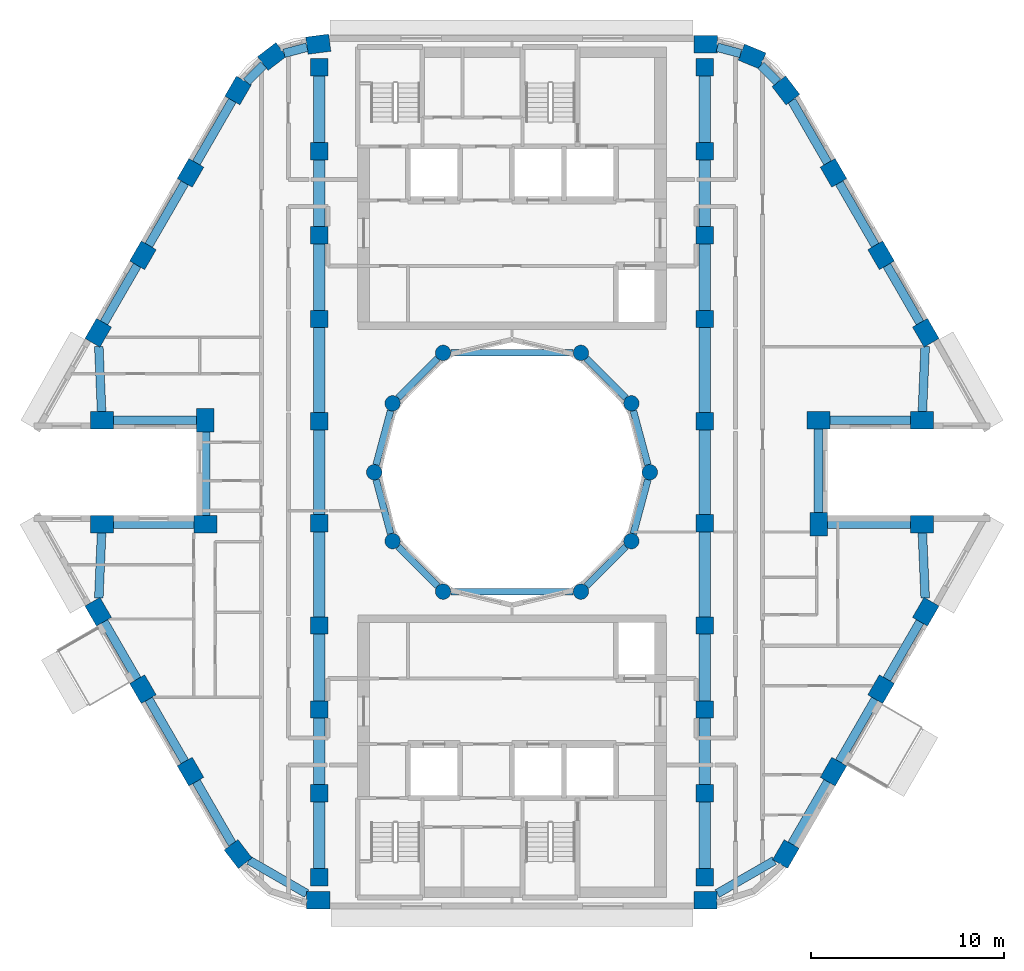
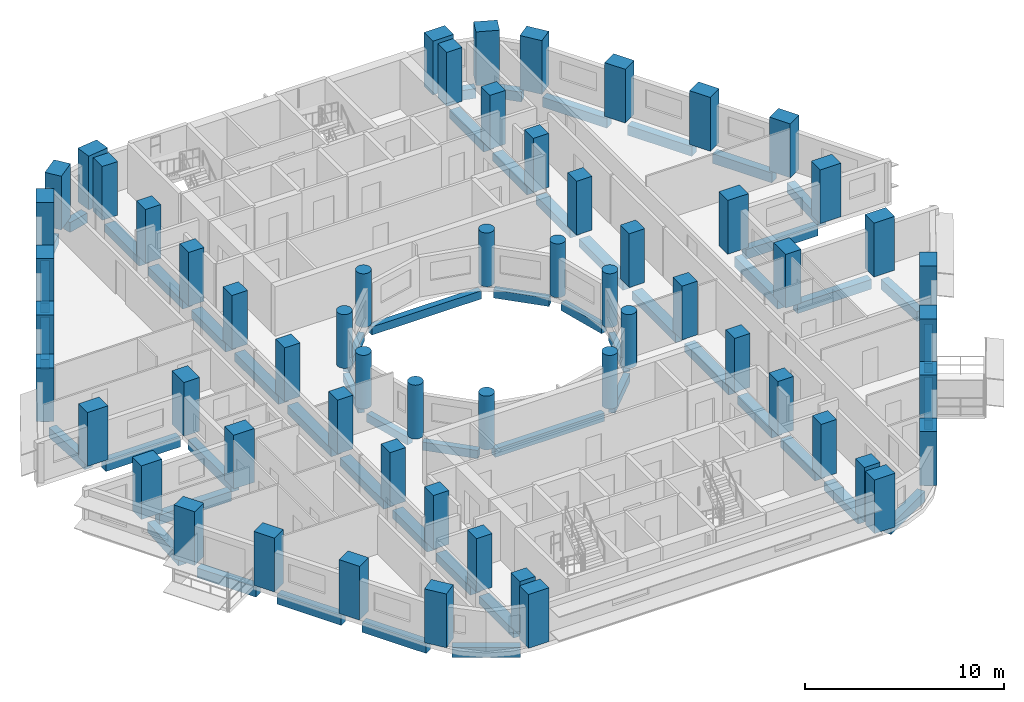
# One storey, part 1 of 15: 60 columns, 56 beams.
"""IFC4 building model written with IfcOpenShell, lengths in metres."""

from ifc_helpers import new_model, si_unit, direction, frame, origin, origin_2d, place, context, subcontext, project, spatial, rectangle, circle, extrude, material, material_profile, profile_set, type_object, element, save


model = new_model("IFC4")

# Units and contexts
model_context = context("Model", 3, precision=1e-05, world=origin(), true_north=direction((0.0, 1.0)))
body_context = subcontext(model_context, "Body", "Model", "MODEL_VIEW")
ifc_project = project(units=[si_unit("LENGTHUNIT", "METRE"), si_unit("AREAUNIT", "SQUARE_METRE"), si_unit("VOLUMEUNIT", "CUBIC_METRE"), si_unit("PLANEANGLEUNIT", "RADIAN"), si_unit("MASSUNIT", "GRAM", prefix="KILO")], contexts=[model_context])

# Site, building, storey
site_placement = place(None, origin())
site = spatial("IfcSite", under=ifc_project, at=site_placement, CompositionType="ELEMENT")
building_placement = place(site_placement, origin())
building = spatial("IfcBuilding", under=site, at=building_placement, Name="Nakaniwa Court", CompositionType="ELEMENT")
storey_placement = place(building_placement, frame((0.0, 0.0, 213.0)))
storey = spatial("IfcBuildingStorey", under=building, at=storey_placement, Name="L56", CompositionType="ELEMENT", Elevation=213.0)

# Columns
ifc_material = material(Name="Concrete C80/100", Category="concrete")
ifc_material_profile_1 = material_profile(ifc_material, rectangle(XDim=1.199951171875, YDim=0.89990234375, at=origin_2d()), Name="Concrete C80/100 RC 1200x900 perimeter column")
ifc_profile_set_1 = profile_set([ifc_material_profile_1], Name="Concrete C80/100")
column_type_1 = type_object("IfcColumnType", Name="Concrete C80/100 RC 1200x900 perimeter column", PredefinedType="COLUMN", material=ifc_profile_set_1)
for number, where, z_axis, x_axis, name in (
    (1, (69.95458984375, 102.199951171875, 0.0), (0.0, 0.0, 1.0), (-0.991442583111, -0.130543496177, 0.0), "COLUMN CO-01"),
    (2, (67.552001953125, 101.560302734375, 0.0), (0.0, 0.0, 1.0), (-0.793363965062, -0.608747582288, 0.0), "COLUMN CO-02"),
    (3, (65.796875, 99.799560546875, 0.0), (0.0, 0.0, 1.0), (-0.5, -0.866025403784, 0.0), "COLUMN CO-03"),
    (4, (63.328857421875, 95.524658203125, 0.0), (0.0, 0.0, 1.0), (-0.5, -0.866025403784, 0.0), "COLUMN CO-04"),
    (5, (60.860595703125, 91.249755859375, 0.0), (0.0, 0.0, 1.0), (-0.5, -0.866025403784, 0.0), "COLUMN CO-05"),
    (6, (58.541015625, 87.232177734375, 0.0), (0.0, 0.0, 1.0), (-0.5, -0.866025403784, 0.0), "COLUMN CO-06"),
    (7, (58.736083984375, 82.699951171875, 0.0), (0.0, 0.0, 1.0), (1.0, 0.0, 0.0), "COLUMN CO-08"),
    (8, (64.1005859375, 82.699951171875, 0.0), (0.0, 0.0, 1.0), (0.0, -1.0, 0.0), "COLUMN CO-09"),
    (9, (64.1005859375, 77.300048828125, 0.0), (0.0, 0.0, 1.0), (-1.0, 0.0, 0.0), "COLUMN CO-10"),
    (10, (58.736083984375, 77.300048828125, 0.0), (0.0, 0.0, 1.0), (-1.0, 0.0, 0.0), "COLUMN CO-11"),
    (11, (58.541015625, 72.767822265625, 0.0), (0.0, 0.0, 1.0), (0.5, -0.866025403784, 0.0), "COLUMN CO-13"),
    (12, (60.860595703125, 68.750244140625, 0.0), (0.0, 0.0, 1.0), (0.5, -0.866025403784, 0.0), "COLUMN CO-14"),
    (13, (63.328857421875, 64.475341796875, 0.0), (0.0, 0.0, 1.0), (0.5, -0.866025403784, 0.0), "COLUMN CO-15"),
    (14, (65.796875, 60.200439453125, 0.0), (0.0, 0.0, 1.0), (0.608761429009, -0.793353340291, 0.0), "COLUMN CO-16"),
    (15, (69.95458984375, 57.800048828125, 0.0), (0.0, 0.0, 1.0), (1.0, 0.0, 0.0), "COLUMN CO-17"),
    (16, (90.03955078125, 57.800048828125, 0.0), (0.0, 0.0, 1.0), (1.0, 0.0, 0.0), "COLUMN CO-21"),
    (17, (94.203125, 60.200439453125, 0.0), (0.0, 0.0, 1.0), (0.5, 0.866025403784, 0.0), "COLUMN CO-22"),
    (18, (96.671142578125, 64.475341796875, 0.0), (0.0, 0.0, 1.0), (0.5, 0.866025403784, 0.0), "COLUMN CO-23"),
    (19, (99.139404296875, 68.750244140625, 0.0), (0.0, 0.0, 1.0), (0.5, 0.866025403784, 0.0), "COLUMN CO-24"),
    (20, (101.458984375, 72.767822265625, 0.0), (0.0, 0.0, 1.0), (0.5, 0.866025403784, 0.0), "COLUMN CO-25"),
    (21, (101.263916015625, 77.300048828125, 0.0), (0.0, 0.0, 1.0), (-1.0, 0.0, 0.0), "COLUMN CO-27"),
    (22, (95.8994140625, 77.300048828125, 0.0), (0.0, 0.0, 1.0), (0.0, 1.0, 0.0), "COLUMN CO-28"),
    (23, (95.8994140625, 82.699951171875, 0.0), (0.0, 0.0, 1.0), (1.0, 0.0, 0.0), "COLUMN CO-29"),
    (24, (101.263916015625, 82.699951171875, 0.0), (0.0, 0.0, 1.0), (1.0, 0.0, 0.0), "COLUMN CO-30"),
    (25, (101.458984375, 87.232177734375, 0.0), (0.0, 0.0, 1.0), (-0.5, 0.866025403784, 0.0), "COLUMN CO-32"),
    (26, (99.139404296875, 91.249755859375, 0.0), (0.0, 0.0, 1.0), (-0.5, 0.866025403784, 0.0), "COLUMN CO-33"),
    (27, (96.671142578125, 95.524658203125, 0.0), (0.0, 0.0, 1.0), (-0.5, 0.866025403784, 0.0), "COLUMN CO-34"),
    (28, (94.203125, 99.799560546875, 0.0), (0.0, 0.0, 1.0), (-0.608761429009, 0.793353340291, 0.0), "COLUMN CO-35"),
    (29, (92.447998046875, 101.560302734375, 0.0), (0.0, 0.0, 1.0), (-0.923879532511, 0.382683432365, 0.0), "COLUMN CO-36"),
    (30, (90.04541015625, 102.199951171875, 0.0), (0.0, 0.0, 1.0), (-1.0, 0.0, 0.0), "COLUMN CO-37"),
):
    element("IfcColumn", number, at=place(storey_placement, frame(where, z_axis=z_axis, x_axis=x_axis)), inside=storey, type_object=column_type_1, Name=name, PredefinedType="COLUMN", context=body_context, shape_type="SweptSolid", body=[
        extrude(rectangle(XDim=1.199951171875, YDim=0.89990234375, at=origin_2d()), origin(), (0.0, 0.0, 1.0), 3.300048828125),
    ])
ifc_material_profile_2 = material_profile(ifc_material, rectangle(XDim=0.89990234375, YDim=0.89990234375, at=origin_2d()), Name="Concrete C80/100 RC 900x900 spine column")
ifc_profile_set_2 = profile_set([ifc_material_profile_2], Name="Concrete C80/100")
column_type_2 = type_object("IfcColumnType", Name="Concrete C80/100 RC 900x900 spine column", PredefinedType="COLUMN", material=ifc_profile_set_2)
for number, where, z_axis, x_axis, name in (
    (31, (90.0, 59.0, 0.0), (0.0, 0.0, 1.0), (0.0, 1.0, 0.0), "COLUMN CS-01"),
    (32, (90.0, 63.35009765625, 0.0), (0.0, 0.0, 1.0), (0.0, 1.0, 0.0), "COLUMN CS-02"),
    (33, (90.0, 67.699951171875, 0.0), (0.0, 0.0, 1.0), (0.0, 1.0, 0.0), "COLUMN CS-03"),
    (34, (90.0, 72.050048828125, 0.0), (0.0, 0.0, 1.0), (0.0, 1.0, 0.0), "COLUMN CS-04"),
    (35, (90.0, 77.35009765625, 0.0), (0.0, 0.0, 1.0), (0.0, 1.0, 0.0), "COLUMN CS-05"),
    (36, (90.0, 82.64990234375, 0.0), (0.0, 0.0, 1.0), (0.0, 1.0, 0.0), "COLUMN CS-06"),
    (37, (90.0, 87.949951171875, 0.0), (0.0, 0.0, 1.0), (0.0, 1.0, 0.0), "COLUMN CS-07"),
    (38, (90.0, 92.300048828125, 0.0), (0.0, 0.0, 1.0), (0.0, 1.0, 0.0), "COLUMN CS-08"),
    (39, (90.0, 96.64990234375, 0.0), (0.0, 0.0, 1.0), (0.0, 1.0, 0.0), "COLUMN CS-09"),
    (40, (90.0, 101.0, 0.0), (0.0, 0.0, 1.0), (0.0, 1.0, 0.0), "COLUMN CS-10"),
    (41, (70.0, 101.0, 0.0), (0.0, 0.0, 1.0), (0.0, -1.0, 0.0), "COLUMN CS-11"),
    (42, (70.0, 96.64990234375, 0.0), (0.0, 0.0, 1.0), (0.0, -1.0, 0.0), "COLUMN CS-12"),
    (43, (70.0, 92.300048828125, 0.0), (0.0, 0.0, 1.0), (0.0, -1.0, 0.0), "COLUMN CS-13"),
    (44, (70.0, 87.949951171875, 0.0), (0.0, 0.0, 1.0), (0.0, -1.0, 0.0), "COLUMN CS-14"),
    (45, (70.0, 82.64990234375, 0.0), (0.0, 0.0, 1.0), (0.0, -1.0, 0.0), "COLUMN CS-15"),
    (46, (70.0, 77.35009765625, 0.0), (0.0, 0.0, 1.0), (0.0, -1.0, 0.0), "COLUMN CS-16"),
    (47, (70.0, 72.050048828125, 0.0), (0.0, 0.0, 1.0), (0.0, -1.0, 0.0), "COLUMN CS-17"),
    (48, (70.0, 67.699951171875, 0.0), (0.0, 0.0, 1.0), (0.0, -1.0, 0.0), "COLUMN CS-18"),
    (49, (70.0, 63.35009765625, 0.0), (0.0, 0.0, 1.0), (0.0, -1.0, 0.0), "COLUMN CS-19"),
    (50, (70.0, 59.0, 0.0), (0.0, 0.0, 1.0), (0.0, -1.0, 0.0), "COLUMN CS-20"),
):
    element("IfcColumn", number, at=place(storey_placement, frame(where, z_axis=z_axis, x_axis=x_axis)), inside=storey, type_object=column_type_2, Name=name, PredefinedType="COLUMN", context=body_context, shape_type="SweptSolid", body=[
        extrude(rectangle(XDim=0.89990234375, YDim=0.89990234375, at=origin_2d()), origin(), (0.0, 0.0, 1.0), 3.300048828125),
    ])
ifc_material_profile_3 = material_profile(ifc_material, circle(Radius=0.39990234375, at=origin_2d()), Name="Concrete C80/100 RC D800 inner ring column")
ifc_profile_set_3 = profile_set([ifc_material_profile_3], Name="Concrete C80/100")
column_type_3 = type_object("IfcColumnType", Name="Concrete C80/100 RC D800 inner ring column", PredefinedType="COLUMN", material=ifc_profile_set_3)
for number, where, z_axis, x_axis, name in (
    (51, (87.14990234375, 80.0, 0.0), (0.0, 0.0, 1.0), (0.0, 1.0, 0.0), "COLUMN CI-01"),
    (52, (86.192138671875, 83.574951171875, 0.0), (0.0, 0.0, 1.0), (-0.5, 0.866025403784, 0.0), "COLUMN CI-02"),
    (53, (83.574951171875, 86.192138671875, 0.0), (0.0, 0.0, 1.0), (-0.866025403784, 0.5, 0.0), "COLUMN CI-03"),
    (54, (76.425048828125, 86.192138671875, 0.0), (0.0, 0.0, 1.0), (-0.866025403784, -0.5, 0.0), "COLUMN CI-05"),
    (55, (73.807861328125, 83.574951171875, 0.0), (0.0, 0.0, 1.0), (-0.5, -0.866025403784, 0.0), "COLUMN CI-06"),
    (56, (72.85009765625, 80.0, 0.0), (0.0, 0.0, 1.0), (0.0, -1.0, 0.0), "COLUMN CI-07"),
    (57, (73.807861328125, 76.425048828125, 0.0), (0.0, 0.0, 1.0), (0.5, -0.866025403784, 0.0), "COLUMN CI-08"),
    (58, (76.425048828125, 73.807861328125, 0.0), (0.0, 0.0, 1.0), (0.866025403784, -0.5, 0.0), "COLUMN CI-09"),
    (59, (83.574951171875, 73.807861328125, 0.0), (0.0, 0.0, 1.0), (0.866025403784, 0.5, 0.0), "COLUMN CI-11"),
    (60, (86.192138671875, 76.425048828125, 0.0), (0.0, 0.0, 1.0), (0.5, 0.866025403784, 0.0), "COLUMN CI-12"),
):
    element("IfcColumn", number, at=place(storey_placement, frame(where, z_axis=z_axis, x_axis=x_axis)), inside=storey, type_object=column_type_3, Name=name, PredefinedType="COLUMN", context=body_context, shape_type="SweptSolid", body=[
        extrude(circle(Radius=0.39990234375, at=origin_2d()), origin(), (0.0, 0.0, 1.0), 3.300048828125),
    ])

# Beams
ifc_material_profile_4 = material_profile(ifc_material, rectangle(XDim=0.35009765625, YDim=0.5, at=origin_2d()), Name="Concrete C80/100 RC 350x500 ring beam")
ifc_profile_set_4 = profile_set([ifc_material_profile_4], Name="Concrete C80/100")
beam_type_1 = type_object("IfcBeamType", Name="Concrete C80/100 RC 350x500 ring beam", PredefinedType="BEAM", material=ifc_profile_set_4)
beam_1_placement = place(storey_placement, frame((87.04638671875, 80.386474609375, -0.52490234375), z_axis=(-0.258778150207, 0.965936783115, 0.0), x_axis=(-0.965936783115, -0.258778150207, 0.0)))
element("IfcBeam", 61, at=beam_1_placement, inside=storey, type_object=beam_type_1, Name="RING BEAM", PredefinedType="BEAM", context=body_context, shape_type="SweptSolid", body=[
    extrude(rectangle(XDim=0.35009765625, YDim=0.5, at=origin_2d()), origin(), (0.0, 0.0, 1.0), 2.901123046875),
])
beam_2_placement = place(storey_placement, frame((85.9091796875, 83.85791015625, -0.52490234375), z_axis=(-0.707106781187, 0.707106781187, 0.0), x_axis=(-0.707106781187, -0.707106781187, 0.0)))
element("IfcBeam", 62, at=beam_2_placement, inside=storey, type_object=beam_type_1, Name="RING BEAM", PredefinedType="BEAM", context=body_context, shape_type="SweptSolid", body=[
    extrude(rectangle(XDim=0.35009765625, YDim=0.5, at=origin_2d()), origin(), (0.0, 0.0, 1.0), 2.90087890625),
])
beam_3_placement = place(storey_placement, frame((83.175048828125, 86.192138671875, -0.52490234375), z_axis=(-1.0, 0.0, 0.0), x_axis=(0.0, -1.0, 0.0)))
element("IfcBeam", 63, at=beam_3_placement, inside=storey, type_object=beam_type_1, Name="RING BEAM", PredefinedType="BEAM", context=body_context, shape_type="SweptSolid", body=[
    extrude(rectangle(XDim=0.35009765625, YDim=0.5, at=origin_2d()), origin(), (0.0, 0.0, 1.0), 6.35009765625),
])
beam_4_placement = place(storey_placement, frame((76.14208984375, 85.9091796875, -0.52490234375), z_axis=(-0.707106781187, -0.707106781187, 0.0), x_axis=(0.707106781187, -0.707106781187, 0.0)))
element("IfcBeam", 64, at=beam_4_placement, inside=storey, type_object=beam_type_1, Name="RING BEAM", PredefinedType="BEAM", context=body_context, shape_type="SweptSolid", body=[
    extrude(rectangle(XDim=0.35009765625, YDim=0.5, at=origin_2d()), origin(), (0.0, 0.0, 1.0), 2.90087890625),
])
for number, where, z_axis, x_axis, name in (
    (65, (73.704345703125, 83.188720703125, -0.52490234375), (-0.258778150207, -0.965936783115, 0.0), (0.965936783115, -0.258778150207, 0.0), "RING BEAM"),
    (66, (72.95361328125, 79.613525390625, -0.52490234375), (0.258778150207, -0.965936783115, 0.0), (0.965936783115, 0.258778150207, 0.0), "RING BEAM"),
):
    element("IfcBeam", number, at=place(storey_placement, frame(where, z_axis=z_axis, x_axis=x_axis)), inside=storey, type_object=beam_type_1, Name=name, PredefinedType="BEAM", context=body_context, shape_type="SweptSolid", body=[
        extrude(rectangle(XDim=0.35009765625, YDim=0.5, at=origin_2d()), origin(), (0.0, 0.0, 1.0), 2.901123046875),
    ])
beam_5_placement = place(storey_placement, frame((74.0908203125, 76.14208984375, -0.52490234375), z_axis=(0.707106781187, -0.707106781187, 0.0), x_axis=(0.707106781187, 0.707106781187, 0.0)))
element("IfcBeam", 67, at=beam_5_placement, inside=storey, type_object=beam_type_1, Name="RING BEAM", PredefinedType="BEAM", context=body_context, shape_type="SweptSolid", body=[
    extrude(rectangle(XDim=0.35009765625, YDim=0.5, at=origin_2d()), origin(), (0.0, 0.0, 1.0), 2.90087890625),
])
beam_6_placement = place(storey_placement, frame((76.824951171875, 73.807861328125, -0.52490234375), z_axis=(1.0, 0.0, 0.0), x_axis=(0.0, 1.0, 0.0)))
element("IfcBeam", 68, at=beam_6_placement, inside=storey, type_object=beam_type_1, Name="RING BEAM", PredefinedType="BEAM", context=body_context, shape_type="SweptSolid", body=[
    extrude(rectangle(XDim=0.35009765625, YDim=0.5, at=origin_2d()), origin(), (0.0, 0.0, 1.0), 6.35009765625),
])
beam_7_placement = place(storey_placement, frame((83.85791015625, 74.0908203125, -0.52490234375), z_axis=(0.707106781187, 0.707106781187, 0.0), x_axis=(-0.707106781187, 0.707106781187, 0.0)))
element("IfcBeam", 69, at=beam_7_placement, inside=storey, type_object=beam_type_1, Name="RING BEAM", PredefinedType="BEAM", context=body_context, shape_type="SweptSolid", body=[
    extrude(rectangle(XDim=0.35009765625, YDim=0.5, at=origin_2d()), origin(), (0.0, 0.0, 1.0), 2.90087890625),
])
beam_8_placement = place(storey_placement, frame((86.295654296875, 76.811279296875, -0.52490234375), z_axis=(0.258778150207, 0.965936783115, 0.0), x_axis=(-0.965936783115, 0.258778150207, 0.0)))
element("IfcBeam", 70, at=beam_8_placement, inside=storey, type_object=beam_type_1, Name="RING BEAM", PredefinedType="BEAM", context=body_context, shape_type="SweptSolid", body=[
    extrude(rectangle(XDim=0.35009765625, YDim=0.5, at=origin_2d()), origin(), (0.0, 0.0, 1.0), 2.901123046875),
])
ifc_material_profile_5 = material_profile(ifc_material, rectangle(XDim=0.449951171875, YDim=0.60009765625, at=origin_2d()), Name="Concrete C80/100 RC 450x600 spandrel beam")
ifc_profile_set_5 = profile_set([ifc_material_profile_5], Name="Concrete C80/100")
beam_type_2 = type_object("IfcBeamType", Name="Concrete C80/100 RC 450x600 spandrel beam", PredefinedType="BEAM", material=ifc_profile_set_5)
beam_9_placement = place(storey_placement, frame((69.3701171875, 102.044189453125, -0.574951171875), z_axis=(-0.966320442624, -0.257341800272, 0.0), x_axis=(0.257341800272, -0.966320442624, 0.0)))
element("IfcBeam", 71, at=beam_9_placement, inside=storey, type_object=beam_type_2, Name="SPANDREL BEAM", PredefinedType="BEAM", context=body_context, shape_type="SweptSolid", body=[
    extrude(rectangle(XDim=0.449951171875, YDim=0.60009765625, at=origin_2d()), origin(), (0.0, 0.0, 1.0), 1.2314453125),
])
beam_10_placement = place(storey_placement, frame((67.124755859375, 101.131591796875, -0.574951171875), z_axis=(-0.705943141011, -0.708268509578, 0.0), x_axis=(0.708268509578, -0.705943141011, 0.0)))
element("IfcBeam", 72, at=beam_10_placement, inside=storey, type_object=beam_type_2, Name="SPANDREL BEAM", PredefinedType="BEAM", context=body_context, shape_type="SweptSolid", body=[
    extrude(rectangle(XDim=0.449951171875, YDim=0.60009765625, at=origin_2d()), origin(), (0.0, 0.0, 1.0), 1.259765625),
])
for number, where, z_axis, x_axis, name in (
    (73, (65.496826171875, 99.27978515625, -0.574951171875), (-0.499969460568, -0.866043035016, 0.0), (0.866043035016, -0.499969460568, 0.0), "SPANDREL BEAM"),
    (74, (63.02880859375, 95.0048828125, -0.574951171875), (-0.500018470369, -0.866014739649, 0.0), (0.866014739649, -0.500018470369, 0.0), "SPANDREL BEAM"),
):
    element("IfcBeam", number, at=place(storey_placement, frame(where, z_axis=z_axis, x_axis=x_axis)), inside=storey, type_object=beam_type_2, Name=name, PredefinedType="BEAM", context=body_context, shape_type="SweptSolid", body=[
        extrude(rectangle(XDim=0.449951171875, YDim=0.60009765625, at=origin_2d()), origin(), (0.0, 0.0, 1.0), 3.736083984375),
    ])
beam_11_placement = place(storey_placement, frame((60.560791015625, 90.72998046875, -0.574951171875), z_axis=(-0.500048133448, -0.865997612142, 0.0), x_axis=(0.865997612142, -0.500048133448, 0.0)))
element("IfcBeam", 75, at=beam_11_placement, inside=storey, type_object=beam_type_2, Name="SPANDREL BEAM", PredefinedType="BEAM", context=body_context, shape_type="SweptSolid", body=[
    extrude(rectangle(XDim=0.449951171875, YDim=0.60009765625, at=origin_2d()), origin(), (0.0, 0.0, 1.0), 3.439208984375),
])
beam_12_placement = place(storey_placement, frame((58.57177734375, 86.521728515625, -0.574951171875), z_axis=(0.042897265713, -0.999079488627, 0.0), x_axis=(0.999079488627, 0.042897265713, 0.0)))
element("IfcBeam", 76, at=beam_12_placement, inside=storey, type_object=beam_type_2, Name="SPANDREL BEAM", PredefinedType="BEAM", context=body_context, shape_type="SweptSolid", body=[
    extrude(rectangle(XDim=0.449951171875, YDim=0.60009765625, at=origin_2d()), origin(), (0.0, 0.0, 1.0), 3.375),
])
beam_13_placement = place(storey_placement, frame((59.3359375, 82.699951171875, -0.574951171875), z_axis=(1.0, 0.0, 0.0), x_axis=(0.0, 1.0, 0.0)))
element("IfcBeam", 77, at=beam_13_placement, inside=storey, type_object=beam_type_2, Name="SPANDREL BEAM", PredefinedType="BEAM", context=body_context, shape_type="SweptSolid", body=[
    extrude(rectangle(XDim=0.449951171875, YDim=0.60009765625, at=origin_2d()), origin(), (0.0, 0.0, 1.0), 4.314453125),
])
beam_14_placement = place(storey_placement, frame((64.1005859375, 82.10009765625, -0.574951171875), z_axis=(0.0, -1.0, 0.0), x_axis=(1.0, 0.0, 0.0)))
element("IfcBeam", 78, at=beam_14_placement, inside=storey, type_object=beam_type_2, Name="SPANDREL BEAM", PredefinedType="BEAM", context=body_context, shape_type="SweptSolid", body=[
    extrude(rectangle(XDim=0.449951171875, YDim=0.60009765625, at=origin_2d()), origin(), (0.0, 0.0, 1.0), 4.35009765625),
])
beam_15_placement = place(storey_placement, frame((63.50048828125, 77.300048828125, -0.574951171875), z_axis=(-1.0, 0.0, 0.0), x_axis=(0.0, -1.0, 0.0)))
element("IfcBeam", 79, at=beam_15_placement, inside=storey, type_object=beam_type_2, Name="SPANDREL BEAM", PredefinedType="BEAM", context=body_context, shape_type="SweptSolid", body=[
    extrude(rectangle(XDim=0.449951171875, YDim=0.60009765625, at=origin_2d()), origin(), (0.0, 0.0, 1.0), 4.16455078125),
])
beam_16_placement = place(storey_placement, frame((58.716552734375, 76.85009765625, -0.574951171875), z_axis=(-0.042897265713, -0.999079488627, 0.0), x_axis=(0.999079488627, -0.042897265713, 0.0)))
element("IfcBeam", 80, at=beam_16_placement, inside=storey, type_object=beam_type_2, Name="SPANDREL BEAM", PredefinedType="BEAM", context=body_context, shape_type="SweptSolid", body=[
    extrude(rectangle(XDim=0.449951171875, YDim=0.60009765625, at=origin_2d()), origin(), (0.0, 0.0, 1.0), 3.375),
])
beam_17_placement = place(storey_placement, frame((58.841064453125, 72.248291015625, -0.574951171875), z_axis=(0.500048133448, -0.865997612142, 0.0), x_axis=(0.865997612142, 0.500048133448, 0.0)))
element("IfcBeam", 81, at=beam_17_placement, inside=storey, type_object=beam_type_2, Name="SPANDREL BEAM", PredefinedType="BEAM", context=body_context, shape_type="SweptSolid", body=[
    extrude(rectangle(XDim=0.449951171875, YDim=0.60009765625, at=origin_2d()), origin(), (0.0, 0.0, 1.0), 3.439208984375),
])
beam_18_placement = place(storey_placement, frame((61.16064453125, 68.230712890625, -0.574951171875), z_axis=(0.500018470369, -0.866014739649, 0.0), x_axis=(0.866014739649, 0.500018470369, 0.0)))
element("IfcBeam", 82, at=beam_18_placement, inside=storey, type_object=beam_type_2, Name="SPANDREL BEAM", PredefinedType="BEAM", context=body_context, shape_type="SweptSolid", body=[
    extrude(rectangle(XDim=0.449951171875, YDim=0.60009765625, at=origin_2d()), origin(), (0.0, 0.0, 1.0), 3.736083984375),
])
beam_19_placement = place(storey_placement, frame((63.62890625, 63.955810546875, -0.574951171875), z_axis=(0.499988672538, -0.866031943599, 0.0), x_axis=(0.866031943599, 0.499988672538, 0.0)))
element("IfcBeam", 83, at=beam_19_placement, inside=storey, type_object=beam_type_2, Name="SPANDREL BEAM", PredefinedType="BEAM", context=body_context, shape_type="SweptSolid", body=[
    extrude(rectangle(XDim=0.449951171875, YDim=0.60009765625, at=origin_2d()), origin(), (0.0, 0.0, 1.0), 3.73095703125),
])
beam_20_placement = place(storey_placement, frame((66.359375, 59.875732421875, -0.574951171875), z_axis=(0.866041005548, -0.49997297598, 0.0), x_axis=(0.49997297598, 0.866041005548, 0.0)))
element("IfcBeam", 84, at=beam_20_placement, inside=storey, type_object=beam_type_2, Name="SPANDREL BEAM", PredefinedType="BEAM", context=body_context, shape_type="SweptSolid", body=[
    extrude(rectangle(XDim=0.449951171875, YDim=0.60009765625, at=origin_2d()), origin(), (0.0, 0.0, 1.0), 3.458740234375),
])
beam_21_placement = place(storey_placement, frame((90.639404296875, 58.14599609375, -0.574951171875), z_axis=(0.866361397704, 0.499417589367, 0.0), x_axis=(-0.499417589367, 0.866361397704, 0.0)))
element("IfcBeam", 85, at=beam_21_placement, inside=storey, type_object=beam_type_2, Name="SPANDREL BEAM", PredefinedType="BEAM", context=body_context, shape_type="SweptSolid", body=[
    extrude(rectangle(XDim=0.449951171875, YDim=0.60009765625, at=origin_2d()), origin(), (0.0, 0.0, 1.0), 3.42041015625),
])
for number, where, z_axis, x_axis, name in (
    (86, (94.503173828125, 60.72021484375, -0.574951171875), (0.499969460568, 0.866043035016, 0.0), (-0.866043035016, 0.499969460568, 0.0), "SPANDREL BEAM"),
    (87, (96.97119140625, 64.9951171875, -0.574951171875), (0.500018470369, 0.866014739649, 0.0), (-0.866014739649, 0.500018470369, 0.0), "SPANDREL BEAM"),
):
    element("IfcBeam", number, at=place(storey_placement, frame(where, z_axis=z_axis, x_axis=x_axis)), inside=storey, type_object=beam_type_2, Name=name, PredefinedType="BEAM", context=body_context, shape_type="SweptSolid", body=[
        extrude(rectangle(XDim=0.449951171875, YDim=0.60009765625, at=origin_2d()), origin(), (0.0, 0.0, 1.0), 3.736083984375),
    ])
beam_22_placement = place(storey_placement, frame((99.439208984375, 69.27001953125, -0.574951171875), z_axis=(0.500048133448, 0.865997612142, 0.0), x_axis=(-0.865997612142, 0.500048133448, 0.0)))
element("IfcBeam", 88, at=beam_22_placement, inside=storey, type_object=beam_type_2, Name="SPANDREL BEAM", PredefinedType="BEAM", context=body_context, shape_type="SweptSolid", body=[
    extrude(rectangle(XDim=0.449951171875, YDim=0.60009765625, at=origin_2d()), origin(), (0.0, 0.0, 1.0), 3.439208984375),
])
beam_23_placement = place(storey_placement, frame((101.42822265625, 73.478271484375, -0.574951171875), z_axis=(-0.042897265713, 0.999079488627, 0.0), x_axis=(-0.999079488627, -0.042897265713, 0.0)))
element("IfcBeam", 89, at=beam_23_placement, inside=storey, type_object=beam_type_2, Name="SPANDREL BEAM", PredefinedType="BEAM", context=body_context, shape_type="SweptSolid", body=[
    extrude(rectangle(XDim=0.449951171875, YDim=0.60009765625, at=origin_2d()), origin(), (0.0, 0.0, 1.0), 3.375),
])
beam_24_placement = place(storey_placement, frame((100.6640625, 77.300048828125, -0.574951171875), z_axis=(-1.0, 0.0, 0.0), x_axis=(0.0, -1.0, 0.0)))
element("IfcBeam", 90, at=beam_24_placement, inside=storey, type_object=beam_type_2, Name="SPANDREL BEAM", PredefinedType="BEAM", context=body_context, shape_type="SweptSolid", body=[
    extrude(rectangle(XDim=0.449951171875, YDim=0.60009765625, at=origin_2d()), origin(), (0.0, 0.0, 1.0), 4.314453125),
])
beam_25_placement = place(storey_placement, frame((95.8994140625, 77.89990234375, -0.574951171875), z_axis=(0.0, 1.0, 0.0), x_axis=(-1.0, 0.0, 0.0)))
element("IfcBeam", 91, at=beam_25_placement, inside=storey, type_object=beam_type_2, Name="SPANDREL BEAM", PredefinedType="BEAM", context=body_context, shape_type="SweptSolid", body=[
    extrude(rectangle(XDim=0.449951171875, YDim=0.60009765625, at=origin_2d()), origin(), (0.0, 0.0, 1.0), 4.35009765625),
])
beam_26_placement = place(storey_placement, frame((96.49951171875, 82.699951171875, -0.574951171875), z_axis=(1.0, 0.0, 0.0), x_axis=(0.0, 1.0, 0.0)))
element("IfcBeam", 92, at=beam_26_placement, inside=storey, type_object=beam_type_2, Name="SPANDREL BEAM", PredefinedType="BEAM", context=body_context, shape_type="SweptSolid", body=[
    extrude(rectangle(XDim=0.449951171875, YDim=0.60009765625, at=origin_2d()), origin(), (0.0, 0.0, 1.0), 4.16455078125),
])
beam_27_placement = place(storey_placement, frame((101.283447265625, 83.14990234375, -0.574951171875), z_axis=(0.042897265713, 0.999079488627, 0.0), x_axis=(-0.999079488627, 0.042897265713, 0.0)))
element("IfcBeam", 93, at=beam_27_placement, inside=storey, type_object=beam_type_2, Name="SPANDREL BEAM", PredefinedType="BEAM", context=body_context, shape_type="SweptSolid", body=[
    extrude(rectangle(XDim=0.449951171875, YDim=0.60009765625, at=origin_2d()), origin(), (0.0, 0.0, 1.0), 3.375),
])
beam_28_placement = place(storey_placement, frame((101.158935546875, 87.751708984375, -0.574951171875), z_axis=(-0.500048133448, 0.865997612142, 0.0), x_axis=(-0.865997612142, -0.500048133448, 0.0)))
element("IfcBeam", 94, at=beam_28_placement, inside=storey, type_object=beam_type_2, Name="SPANDREL BEAM", PredefinedType="BEAM", context=body_context, shape_type="SweptSolid", body=[
    extrude(rectangle(XDim=0.449951171875, YDim=0.60009765625, at=origin_2d()), origin(), (0.0, 0.0, 1.0), 3.439208984375),
])
beam_29_placement = place(storey_placement, frame((98.83935546875, 91.769287109375, -0.574951171875), z_axis=(-0.500018470369, 0.866014739649, 0.0), x_axis=(-0.866014739649, -0.500018470369, 0.0)))
element("IfcBeam", 95, at=beam_29_placement, inside=storey, type_object=beam_type_2, Name="SPANDREL BEAM", PredefinedType="BEAM", context=body_context, shape_type="SweptSolid", body=[
    extrude(rectangle(XDim=0.449951171875, YDim=0.60009765625, at=origin_2d()), origin(), (0.0, 0.0, 1.0), 3.736083984375),
])
beam_30_placement = place(storey_placement, frame((96.37109375, 96.044189453125, -0.574951171875), z_axis=(-0.499988672538, 0.866031943599, 0.0), x_axis=(-0.866031943599, -0.499988672538, 0.0)))
element("IfcBeam", 96, at=beam_30_placement, inside=storey, type_object=beam_type_2, Name="SPANDREL BEAM", PredefinedType="BEAM", context=body_context, shape_type="SweptSolid", body=[
    extrude(rectangle(XDim=0.449951171875, YDim=0.60009765625, at=origin_2d()), origin(), (0.0, 0.0, 1.0), 3.73095703125),
])
beam_31_placement = place(storey_placement, frame((93.77587890625, 100.22802734375, -0.574951171875), z_axis=(-0.705916034154, 0.708295526404, 0.0), x_axis=(-0.708295526404, -0.705916034154, 0.0)))
element("IfcBeam", 97, at=beam_31_placement, inside=storey, type_object=beam_type_2, Name="SPANDREL BEAM", PredefinedType="BEAM", context=body_context, shape_type="SweptSolid", body=[
    extrude(rectangle(XDim=0.449951171875, YDim=0.60009765625, at=origin_2d()), origin(), (0.0, 0.0, 1.0), 1.231201171875),
])
beam_32_placement = place(storey_placement, frame((91.863037109375, 101.716064453125, -0.574951171875), z_axis=(-0.966337757832, 0.257276772735, 0.0), x_axis=(-0.257276772735, -0.966337757832, 0.0)))
element("IfcBeam", 98, at=beam_32_placement, inside=storey, type_object=beam_type_2, Name="SPANDREL BEAM", PredefinedType="BEAM", context=body_context, shape_type="SweptSolid", body=[
    extrude(rectangle(XDim=0.449951171875, YDim=0.60009765625, at=origin_2d()), origin(), (0.0, 0.0, 1.0), 1.26025390625),
])
ifc_material_profile_6 = material_profile(ifc_material, rectangle(XDim=0.60009765625, YDim=0.5, at=origin_2d()), Name="Concrete C80/100 RC 600x500 ring beam")
ifc_profile_set_6 = profile_set([ifc_material_profile_6], Name="Concrete C80/100")
beam_type_3 = type_object("IfcBeamType", Name="Concrete C80/100 RC 600x500 ring beam", PredefinedType="BEAM", material=ifc_profile_set_6)
for number, where, z_axis, x_axis, name in (
    (99, (90.0, 59.449951171875, -0.52490234375), (0.0, 1.0, 0.0), (-1.0, 0.0, 0.0), "RING BEAM"),
    (100, (90.0, 63.800048828125, -0.52490234375), (0.0, 1.0, 0.0), (-1.0, 0.0, 0.0), "RING BEAM"),
):
    element("IfcBeam", number, at=place(storey_placement, frame(where, z_axis=z_axis, x_axis=x_axis)), inside=storey, type_object=beam_type_3, Name=name, PredefinedType="BEAM", context=body_context, shape_type="SweptSolid", body=[
        extrude(rectangle(XDim=0.60009765625, YDim=0.5, at=origin_2d()), origin(), (0.0, 0.0, 1.0), 3.449951171875),
    ])
beam_33_placement = place(storey_placement, frame((90.0, 68.14990234375, -0.52490234375), z_axis=(0.0, 1.0, 0.0), x_axis=(-1.0, 0.0, 0.0)))
element("IfcBeam", 101, at=beam_33_placement, inside=storey, type_object=beam_type_3, Name="RING BEAM", PredefinedType="BEAM", context=body_context, shape_type="SweptSolid", body=[
    extrude(rectangle(XDim=0.60009765625, YDim=0.5, at=origin_2d()), origin(), (0.0, 0.0, 1.0), 3.4501953125),
])
for number, where, z_axis, x_axis, name in (
    (102, (90.0, 72.5, -0.52490234375), (0.0, 1.0, 0.0), (-1.0, 0.0, 0.0), "RING BEAM"),
    (103, (90.0, 77.800048828125, -0.52490234375), (0.0, 1.0, 0.0), (-1.0, 0.0, 0.0), "RING BEAM"),
    (104, (90.0, 83.10009765625, -0.52490234375), (0.0, 1.0, 0.0), (-1.0, 0.0, 0.0), "RING BEAM"),
):
    element("IfcBeam", number, at=place(storey_placement, frame(where, z_axis=z_axis, x_axis=x_axis)), inside=storey, type_object=beam_type_3, Name=name, PredefinedType="BEAM", context=body_context, shape_type="SweptSolid", body=[
        extrude(rectangle(XDim=0.60009765625, YDim=0.5, at=origin_2d()), origin(), (0.0, 0.0, 1.0), 4.39990234375),
    ])
beam_34_placement = place(storey_placement, frame((90.0, 88.39990234375, -0.52490234375), z_axis=(0.0, 1.0, 0.0), x_axis=(-1.0, 0.0, 0.0)))
element("IfcBeam", 105, at=beam_34_placement, inside=storey, type_object=beam_type_3, Name="RING BEAM", PredefinedType="BEAM", context=body_context, shape_type="SweptSolid", body=[
    extrude(rectangle(XDim=0.60009765625, YDim=0.5, at=origin_2d()), origin(), (0.0, 0.0, 1.0), 3.4501953125),
])
for number, where, z_axis, x_axis, name in (
    (106, (90.0, 92.75, -0.52490234375), (0.0, 1.0, 0.0), (-1.0, 0.0, 0.0), "RING BEAM"),
    (107, (90.0, 97.10009765625, -0.52490234375), (0.0, 1.0, 0.0), (-1.0, 0.0, 0.0), "RING BEAM"),
    (108, (70.0, 100.550048828125, -0.52490234375), (0.0, -1.0, 0.0), (1.0, 0.0, 0.0), "RING BEAM"),
    (109, (70.0, 96.199951171875, -0.52490234375), (0.0, -1.0, 0.0), (1.0, 0.0, 0.0), "RING BEAM"),
):
    element("IfcBeam", number, at=place(storey_placement, frame(where, z_axis=z_axis, x_axis=x_axis)), inside=storey, type_object=beam_type_3, Name=name, PredefinedType="BEAM", context=body_context, shape_type="SweptSolid", body=[
        extrude(rectangle(XDim=0.60009765625, YDim=0.5, at=origin_2d()), origin(), (0.0, 0.0, 1.0), 3.449951171875),
    ])
beam_35_placement = place(storey_placement, frame((70.0, 91.85009765625, -0.52490234375), z_axis=(0.0, -1.0, 0.0), x_axis=(1.0, 0.0, 0.0)))
element("IfcBeam", 110, at=beam_35_placement, inside=storey, type_object=beam_type_3, Name="RING BEAM", PredefinedType="BEAM", context=body_context, shape_type="SweptSolid", body=[
    extrude(rectangle(XDim=0.60009765625, YDim=0.5, at=origin_2d()), origin(), (0.0, 0.0, 1.0), 3.4501953125),
])
for number, where, z_axis, x_axis, name in (
    (111, (70.0, 87.5, -0.52490234375), (0.0, -1.0, 0.0), (1.0, 0.0, 0.0), "RING BEAM"),
    (112, (70.0, 82.199951171875, -0.52490234375), (0.0, -1.0, 0.0), (1.0, 0.0, 0.0), "RING BEAM"),
    (113, (70.0, 76.89990234375, -0.52490234375), (0.0, -1.0, 0.0), (1.0, 0.0, 0.0), "RING BEAM"),
):
    element("IfcBeam", number, at=place(storey_placement, frame(where, z_axis=z_axis, x_axis=x_axis)), inside=storey, type_object=beam_type_3, Name=name, PredefinedType="BEAM", context=body_context, shape_type="SweptSolid", body=[
        extrude(rectangle(XDim=0.60009765625, YDim=0.5, at=origin_2d()), origin(), (0.0, 0.0, 1.0), 4.39990234375),
    ])
beam_36_placement = place(storey_placement, frame((70.0, 71.60009765625, -0.52490234375), z_axis=(0.0, -1.0, 0.0), x_axis=(1.0, 0.0, 0.0)))
element("IfcBeam", 114, at=beam_36_placement, inside=storey, type_object=beam_type_3, Name="RING BEAM", PredefinedType="BEAM", context=body_context, shape_type="SweptSolid", body=[
    extrude(rectangle(XDim=0.60009765625, YDim=0.5, at=origin_2d()), origin(), (0.0, 0.0, 1.0), 3.4501953125),
])
for number, where, z_axis, x_axis, name in (
    (115, (70.0, 67.25, -0.52490234375), (0.0, -1.0, 0.0), (1.0, 0.0, 0.0), "RING BEAM"),
    (116, (70.0, 62.89990234375, -0.52490234375), (0.0, -1.0, 0.0), (1.0, 0.0, 0.0), "RING BEAM"),
):
    element("IfcBeam", number, at=place(storey_placement, frame(where, z_axis=z_axis, x_axis=x_axis)), inside=storey, type_object=beam_type_3, Name=name, PredefinedType="BEAM", context=body_context, shape_type="SweptSolid", body=[
        extrude(rectangle(XDim=0.60009765625, YDim=0.5, at=origin_2d()), origin(), (0.0, 0.0, 1.0), 3.449951171875),
    ])

save(model, "model.ifc")
